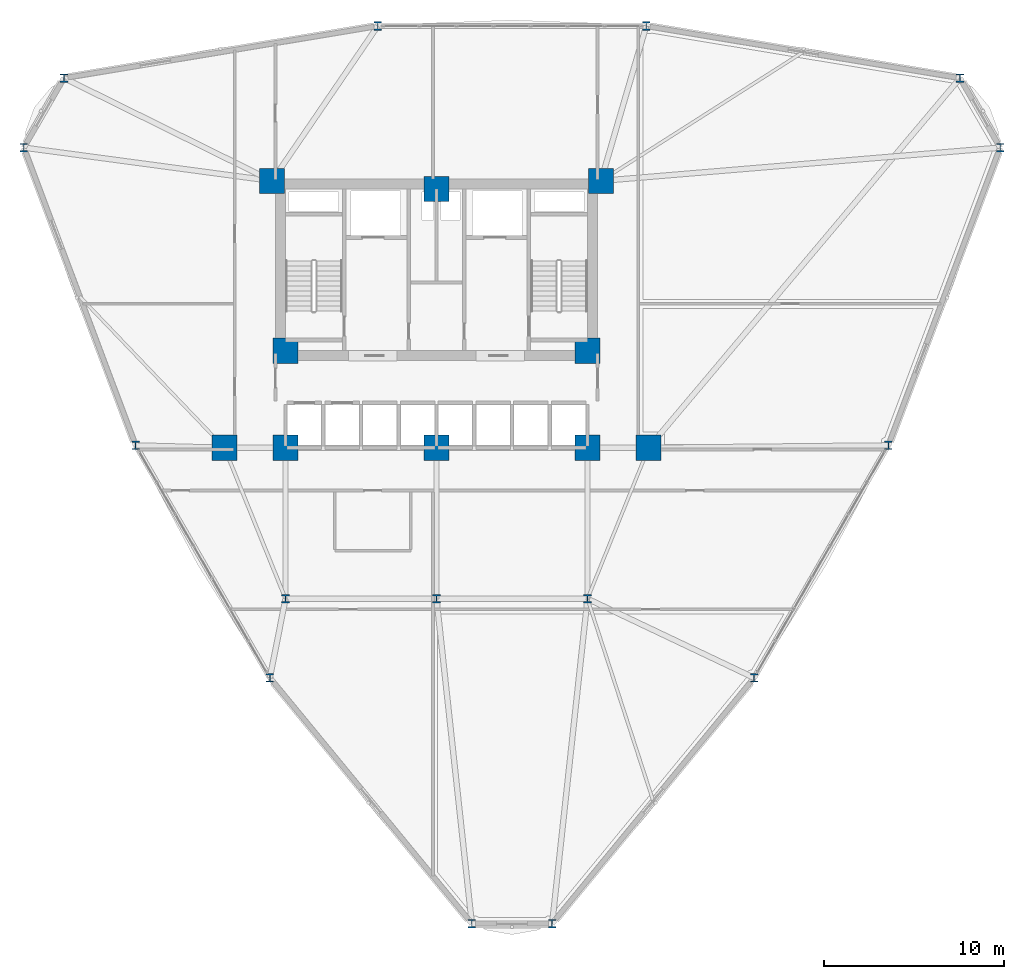
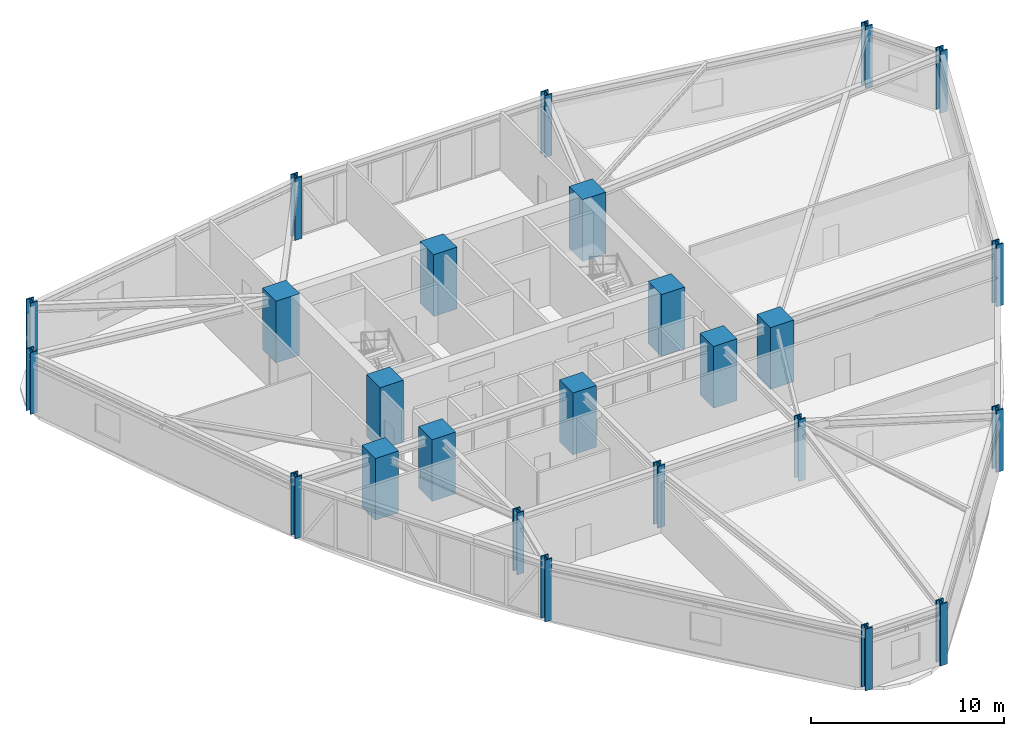
# One storey, part 1 of 20: 25 columns.
"""IFC4 building model written with IfcOpenShell, lengths in metres."""

import ifcopenshell
import ifcopenshell.guid

model = None  # the IFC model being written
_history = None  # IfcOwnerHistory: only IFC2X3 demands one
_inside = {}  # id of a spatial element -> (the spatial element, [elements in it])
_under = {}  # id of a project, library or spatial element -> (it, [spatial elements below it])
_declared = {}  # id of a project -> (the project, [libraries it declares])
_typed = {}  # id of a type object -> (the type object, [elements of that type])
_made_of = {}  # id of a material, layer set ... -> (it, [elements and type objects made of it])


def new_model(schema):
    """Start an empty IFC model of exactly this schema.

    Asked for "IFC4X3", IfcOpenShell would pick the latest addendum, in which some entities
    have other attributes; the version numbers below select the first issue.
    IFC2X3 requires an IfcOwnerHistory on every rooted entity: one is made here for all.
    """
    global model, _history
    if schema == "IFC4X3":
        model = ifcopenshell.file(schema_version=(4, 3, 0, 0))
    else:
        model = ifcopenshell.file(schema=schema)
    _inside.clear()
    _under.clear()
    _declared.clear()
    _typed.clear()
    _made_of.clear()
    _history = None
    if model.schema == "IFC2X3":
        org = make("IfcOrganization", Name="unknown")
        user = make(
            "IfcPersonAndOrganization",
            ThePerson=make("IfcPerson", FamilyName="unknown"),
            TheOrganization=org,
        )
        app = make(
            "IfcApplication",
            ApplicationDeveloper=org,
            Version="unknown",
            ApplicationFullName="unknown",
            ApplicationIdentifier="unknown",
        )
        _history = make(
            "IfcOwnerHistory",
            OwningUser=user,
            OwningApplication=app,
            ChangeAction="ADDED",
            CreationDate=0,
        )
    return model


def make(cls, **values):
    """One entity of the class cls with the attributes given. An attribute that is None is left unset."""
    return model.create_entity(
        cls, **{name: value for name, value in values.items() if value is not None}
    )


def rooted(cls, **values):
    """An entity with a GlobalId (a new one), such as an element, a storey or a relation."""
    return make(cls, GlobalId=ifcopenshell.guid.new(), OwnerHistory=_history, **values)


def si_unit(unit_type, name, prefix=None):
    """IfcSIUnit, for example si_unit("LENGTHUNIT", "METRE", prefix="MILLI")."""
    return make("IfcSIUnit", UnitType=unit_type, Prefix=prefix, Name=name)


def derived_unit(unit_type, elements):
    """IfcDerivedUnit: a product of units, each with its exponent."""
    return make(
        "IfcDerivedUnit",
        Elements=[
            make("IfcDerivedUnitElement", Unit=unit, Exponent=power)
            for unit, power in elements
        ],
        UnitType=unit_type,
    )


def assignment(units):
    """IfcUnitAssignment: the units of a project."""
    return None if units is None else make("IfcUnitAssignment", Units=units)


def point(xyz):
    """IfcCartesianPoint."""
    return None if xyz is None else make("IfcCartesianPoint", Coordinates=xyz)


def direction(xyz):
    """IfcDirection."""
    return None if xyz is None else make("IfcDirection", DirectionRatios=xyz)


def frame(location, z_axis=None, x_axis=None):
    """IfcAxis2Placement3D, a coordinate frame: its origin and axes. An axis left out is left unset."""
    return make(
        "IfcAxis2Placement3D",
        Location=point(location),
        Axis=direction(z_axis),
        RefDirection=direction(x_axis),
    )


def frame_2d(location, x_axis=None):
    """IfcAxis2Placement2D, a coordinate frame in the plane: its origin and x axis."""
    return make(
        "IfcAxis2Placement2D", Location=point(location), RefDirection=direction(x_axis)
    )


def origin():
    """The frame at (0, 0, 0) with its axes left unset."""
    return frame((0.0, 0.0, 0.0))


def origin_2d():
    """The frame at (0, 0) in the plane with its x axis left unset."""
    return frame_2d((0.0, 0.0))


def place(relative_to, where):
    """IfcLocalPlacement: puts the frame where relative to a parent placement (None: the world)."""
    return make(
        "IfcLocalPlacement", PlacementRelTo=relative_to, RelativePlacement=where
    )


def context(
    kind, dimensions, precision=None, world=None, true_north=None, identifier=None
):
    """IfcGeometricRepresentationContext, for example the 3D "Model" context."""
    return make(
        "IfcGeometricRepresentationContext",
        ContextIdentifier=identifier,
        ContextType=kind,
        CoordinateSpaceDimension=dimensions,
        Precision=precision,
        WorldCoordinateSystem=world,
        TrueNorth=true_north,
    )


def subcontext(parent, identifier, kind, view, scale=None):
    """IfcGeometricRepresentationSubContext, for example "Body" below "Model"."""
    return make(
        "IfcGeometricRepresentationSubContext",
        ContextIdentifier=identifier,
        ContextType=kind,
        ParentContext=parent,
        TargetScale=scale,
        TargetView=view,
    )


def project(units=None, contexts=None):
    """IfcProject with its units and contexts."""
    return rooted(
        "IfcProject",
        Name="project",
        RepresentationContexts=contexts,
        UnitsInContext=assignment(units),
    )


def spatial(cls, under=None, at=None, **own):
    """A site, building, storey or space (cls), placed at a placement, below another one or the project."""
    s = rooted(cls, ObjectPlacement=at, **own)
    if under is not None:
        _under.setdefault(under.id(), (under, []))[1].append(s)
    return s


def profile(cls, at=None, kind="AREA", **sizes):
    """A parametric profile (cls). Its sizes go by their IFC names, for example OverallWidth=200.0."""
    return make(cls, ProfileType=kind, Position=at, **sizes)


def rectangle(**sizes):
    """IfcRectangleProfileDef."""
    return profile("IfcRectangleProfileDef", **sizes)


def i_section(**sizes):
    """IfcIShapeProfileDef."""
    return profile("IfcIShapeProfileDef", **sizes)


def extrude(swept, where, along, depth):
    """IfcExtrudedAreaSolid: the profile swept, set in the frame where, extruded along a direction by depth."""
    return make(
        "IfcExtrudedAreaSolid",
        SweptArea=swept,
        Position=where,
        ExtrudedDirection=direction(along),
        Depth=depth,
    )


def shape(context_of_items, identifier, shape_type, items):
    """IfcShapeRepresentation: the items that make up one representation, for example the "Body"."""
    return make(
        "IfcShapeRepresentation",
        ContextOfItems=context_of_items,
        RepresentationIdentifier=identifier,
        RepresentationType=shape_type,
        Items=items,
    )


def source(mapping_origin, context_of_items, identifier, shape_type, items):
    """IfcRepresentationMap: a shape defined once, which mapped items show again and again."""
    return make(
        "IfcRepresentationMap",
        MappingOrigin=mapping_origin,
        MappedRepresentation=shape(context_of_items, identifier, shape_type, items),
    )


def transform(
    local_origin,
    x_axis=None,
    y_axis=None,
    z_axis=None,
    scale=None,
    scale2=None,
    scale3=None,
    uniform=True,
):
    """IfcCartesianTransformationOperator3D, or its non-uniform kind. x_axis, y_axis, z_axis: its Axis1, 2, 3."""
    if uniform:
        return make(
            "IfcCartesianTransformationOperator3D",
            Axis1=direction(x_axis),
            Axis2=direction(y_axis),
            LocalOrigin=point(local_origin),
            Scale=scale,
            Axis3=direction(z_axis),
        )
    return make(
        "IfcCartesianTransformationOperator3DnonUniform",
        Axis1=direction(x_axis),
        Axis2=direction(y_axis),
        LocalOrigin=point(local_origin),
        Scale=scale,
        Axis3=direction(z_axis),
        Scale2=scale2,
        Scale3=scale3,
    )


def mapped(mapping_source, mapping_target):
    """IfcMappedItem: shows the shape of a source again, moved by a transform."""
    return make(
        "IfcMappedItem", MappingSource=mapping_source, MappingTarget=mapping_target
    )


def material(Name=None, Category=None):
    """IfcMaterial."""
    return make("IfcMaterial", Name=Name, Category=Category)


def material_profile(
    of_material, cross_section, Name=None, Category=None, Priority=None
):
    """IfcMaterialProfile: a cross section and its material."""
    return make(
        "IfcMaterialProfile",
        Name=Name,
        Material=of_material,
        Profile=cross_section,
        Priority=Priority,
        Category=Category,
    )


def profile_set(profiles, Name=None, composite=None):
    """IfcMaterialProfileSet."""
    return make(
        "IfcMaterialProfileSet",
        Name=Name,
        MaterialProfiles=profiles,
        CompositeProfile=composite,
    )


def made_of(thing, what):
    """Note that an element or type object is made of a material, layer set ...; save() writes the relation."""
    if what is not None:
        _made_of.setdefault(what.id(), (what, []))[1].append(thing)
    return thing


def type_object(cls, material=None, **own):
    """A type object (cls), such as IfcWallType, which elements share."""
    return made_of(rooted(cls, **own), material)


def element(
    cls,
    number,
    at=None,
    inside=None,
    cuts=None,
    type_object=None,
    material=None,
    context=None,
    identifier="Body",
    shape_type=None,
    held_by="IfcProductDefinitionShape",
    body=None,
    shapes=None,
    **own,
):
    """One element of the class cls, such as IfcWall. Its Tag is "e" and its number.

    at: its placement. inside: the storey or other place that contains it. cuts: it is an
    opening in that element (IfcRelVoidsElement). A single representation is given by context,
    identifier, shape_type and body (its items); several are given by shapes. held_by: the class
    of the entity that holds the representations. save() writes the other relations.
    """
    e = rooted(cls, Tag="e%d" % number, ObjectPlacement=at, **own)
    if body is not None:
        shapes = [shape(context, identifier, shape_type, body)]
    if shapes is not None:
        e.Representation = make(held_by, Representations=shapes)
    if inside is not None:
        _inside.setdefault(inside.id(), (inside, []))[1].append(e)
    if cuts is not None:
        rooted(
            "IfcRelVoidsElement", RelatingBuildingElement=cuts, RelatedOpeningElement=e
        )
    if type_object is not None:
        _typed.setdefault(type_object.id(), (type_object, []))[1].append(e)
    return made_of(e, material)


def aggregate(whole, parts):
    """IfcRelAggregates: a whole, such as a stair, and the parts it consists of."""
    return rooted("IfcRelAggregates", RelatingObject=whole, RelatedObjects=parts)


def save(model, path):
    """Write the relations noted so far, then the file.

    IfcRelAggregates (storeys below a building ...), IfcRelContainedInSpatialStructure (elements
    in a storey), IfcRelDefinesByType, IfcRelAssociatesMaterial and IfcRelDeclares: one each for
    every whole, place, type object, material and project.
    """
    for whole, parts in _under.values():
        aggregate(whole, parts)
    for where, things in _inside.values():
        rooted(
            "IfcRelContainedInSpatialStructure",
            RelatedElements=things,
            RelatingStructure=where,
        )
    for kind, things in _typed.values():
        rooted("IfcRelDefinesByType", RelatedObjects=things, RelatingType=kind)
    for what, things in _made_of.values():
        rooted("IfcRelAssociatesMaterial", RelatedObjects=things, RelatingMaterial=what)
    for by, libraries in _declared.values():
        rooted("IfcRelDeclares", RelatingContext=by, RelatedDefinitions=libraries)
    model.write(path)


model = new_model("IFC4")

# Units and contexts
model_context = context("Model", 3, precision=1e-05, world=origin(), true_north=direction((0.0, 1.0)))
body_context = subcontext(model_context, "Body", "Model", "MODEL_VIEW")
ifc_project = project(units=[si_unit("LENGTHUNIT", "METRE"), si_unit("AREAUNIT", "SQUARE_METRE"), si_unit("VOLUMEUNIT", "CUBIC_METRE"), si_unit("PLANEANGLEUNIT", "RADIAN"), si_unit("MASSUNIT", "GRAM", prefix="KILO"), derived_unit("THERMALTRANSMITTANCEUNIT", [(si_unit("POWERUNIT", "WATT"), 1), (si_unit("LENGTHUNIT", "METRE"), -2), (si_unit("THERMODYNAMICTEMPERATUREUNIT", "KELVIN"), -1)])], contexts=[model_context])

# Site, building, storey
site_placement = place(None, origin())
site = spatial("IfcSite", under=ifc_project, at=site_placement, CompositionType="ELEMENT")
building_placement = place(site_placement, origin())
building = spatial("IfcBuilding", under=site, at=building_placement, Name="Korsvarv Bourse and Concert Hall", CompositionType="ELEMENT")
storey_placement = place(building_placement, frame((0.0, 0.0, 75.60009765625)))
storey = spatial("IfcBuildingStorey", under=building, at=storey_placement, Name="L18", CompositionType="ELEMENT", Elevation=75.60009765625)

# Columns
ifc_material_1 = material(Name="Concrete C60/75", Category="concrete")
ifc_material_profile_1 = material_profile(ifc_material_1, rectangle(XDim=1.39990234375, YDim=1.39990234375, at=origin_2d()), Name="RC 1400x1400")
ifc_profile_set_1 = profile_set([ifc_material_profile_1], Name="Concrete C60/75")
column_type_1 = type_object("IfcColumnType", Name="COL-RC1400", PredefinedType="COLUMN", material=ifc_profile_set_1)
shared_shape_1 = source(origin(), body_context, "Body", "SweptSolid", [
    extrude(rectangle(XDim=1.39990234375, YDim=1.39990234375, at=origin_2d()), origin(), (0.0, 0.0, 1.0), 3.89990234375),
])
for number, where, z_axis, x_axis, name in (
    (1, (26.85009765625, 47.25, 0.0), (0.0, 0.0, 1.0), (1.0, 0.0, 0.0), "L18 column C-01"),
    (2, (45.14990234375, 47.25, 0.0), (0.0, 0.0, 1.0), (1.0, 0.0, 0.0), "L18 column C-01"),
    (3, (27.60009765625, 37.800048828125, 0.0), (0.0, 0.0, 1.0), (1.0, 0.0, 0.0), "L18 column C-01"),
    (4, (44.39990234375, 37.800048828125, 0.0), (0.0, 0.0, 1.0), (1.0, 0.0, 0.0), "L18 column C-01"),
    (5, (27.60009765625, 32.39990234375, 0.0), (0.0, 0.0, 1.0), (1.0, 0.0, 0.0), "L18 column C-01"),
    (6, (44.39990234375, 32.39990234375, 0.0), (0.0, 0.0, 1.0), (1.0, 0.0, 0.0), "L18 column C-01"),
    (7, (36.0, 46.800048828125, 0.0), (0.0, 0.0, 1.0), (1.0, 0.0, 0.0), "L18 column C-01"),
    (8, (36.0, 32.39990234375, 0.0), (0.0, 0.0, 1.0), (1.0, 0.0, 0.0), "L18 column C-01"),
    (9, (24.199951171875, 32.39990234375, 0.0), (0.0, 0.0, 1.0), (1.0, 0.0, 0.0), "L18 column C-01"),
    (10, (47.800048828125, 32.39990234375, 0.0), (0.0, 0.0, 1.0), (1.0, 0.0, 0.0), "L18 column C-01"),
):
    element("IfcColumn", number, at=place(storey_placement, frame(where, z_axis=z_axis, x_axis=x_axis)), inside=storey, type_object=column_type_1, Name=name, PredefinedType="COLUMN", context=body_context, shape_type="MappedRepresentation", body=[
        mapped(shared_shape_1, transform((0.0, 0.0, 0.0), scale=1.0)),
    ])
ifc_material_2 = material(Name="Steel S460", Category="steel")
ifc_material_profile_2 = material_profile(ifc_material_2, i_section(OverallWidth=0.424072265625, OverallDepth=0.47412109375, WebThickness=0.044921875, FlangeThickness=0.072021484375, FilletRadius=0.014892578125, at=origin_2d()), Name="HD 400x634")
ifc_profile_set_2 = profile_set([ifc_material_profile_2], Name="Steel S460")
column_type_2 = type_object("IfcColumnType", Name="COL-HD634", PredefinedType="COLUMN", material=ifc_profile_set_2)
shared_shape_2 = source(origin(), body_context, "Body", "SweptSolid", [
    extrude(i_section(OverallWidth=0.424072265625, OverallDepth=0.47412109375, WebThickness=0.044921875, FlangeThickness=0.072021484375, FilletRadius=0.014892578125, at=origin_2d()), origin(), (0.0, 0.0, 1.0), 3.89990234375),
])
for number, where, z_axis, x_axis, name in (
    (11, (27.60009765625, 24.0, 0.0), (0.0, 0.0, 1.0), (1.0, 0.0, 0.0), "L18 column C-07"),
    (12, (44.39990234375, 24.0, 0.0), (0.0, 0.0, 1.0), (1.0, 0.0, 0.0), "L18 column C-07"),
    (13, (36.0, 24.0, 0.0), (0.0, 0.0, 1.0), (1.0, 0.0, 0.0), "L18 column C-07"),
    (14, (67.3623046875, 49.102294921875, 0.0), (0.0, 0.0, 1.0), (1.0, 0.0, 0.0), "L18 column C-07"),
    (15, (65.1279296875, 52.971923828125, 0.0), (0.0, 0.0, 1.0), (1.0, 0.0, 0.0), "L18 column C-07"),
    (16, (47.668701171875, 55.86767578125, 0.0), (0.0, 0.0, 1.0), (1.0, 0.0, 0.0), "L18 column C-07"),
    (17, (32.731201171875, 55.86767578125, 0.0), (0.0, 0.0, 1.0), (1.0, 0.0, 0.0), "L18 column C-07"),
    (18, (15.27197265625, 52.971923828125, 0.0), (0.0, 0.0, 1.0), (1.0, 0.0, 0.0), "L18 column C-07"),
    (19, (13.037841796875, 49.102294921875, 0.0), (0.0, 0.0, 1.0), (1.0, 0.0, 0.0), "L18 column C-07"),
    (20, (19.259765625, 32.5341796875, 0.0), (0.0, 0.0, 1.0), (1.0, 0.0, 0.0), "L18 column C-07"),
    (21, (26.728515625, 19.59814453125, 0.0), (0.0, 0.0, 1.0), (1.0, 0.0, 0.0), "L18 column C-07"),
    (22, (37.9658203125, 5.92578125, 0.0), (0.0, 0.0, 1.0), (1.0, 0.0, 0.0), "L18 column C-07"),
    (23, (42.43408203125, 5.92578125, 0.0), (0.0, 0.0, 1.0), (1.0, 0.0, 0.0), "L18 column C-07"),
    (24, (53.671630859375, 19.59814453125, 0.0), (0.0, 0.0, 1.0), (1.0, 0.0, 0.0), "L18 column C-07"),
    (25, (61.140380859375, 32.5341796875, 0.0), (0.0, 0.0, 1.0), (1.0, 0.0, 0.0), "L18 column C-07"),
):
    element("IfcColumn", number, at=place(storey_placement, frame(where, z_axis=z_axis, x_axis=x_axis)), inside=storey, type_object=column_type_2, Name=name, PredefinedType="COLUMN", context=body_context, shape_type="MappedRepresentation", body=[
        mapped(shared_shape_2, transform((0.0, 0.0, 0.0), scale=1.0)),
    ])

save(model, "model.ifc")
